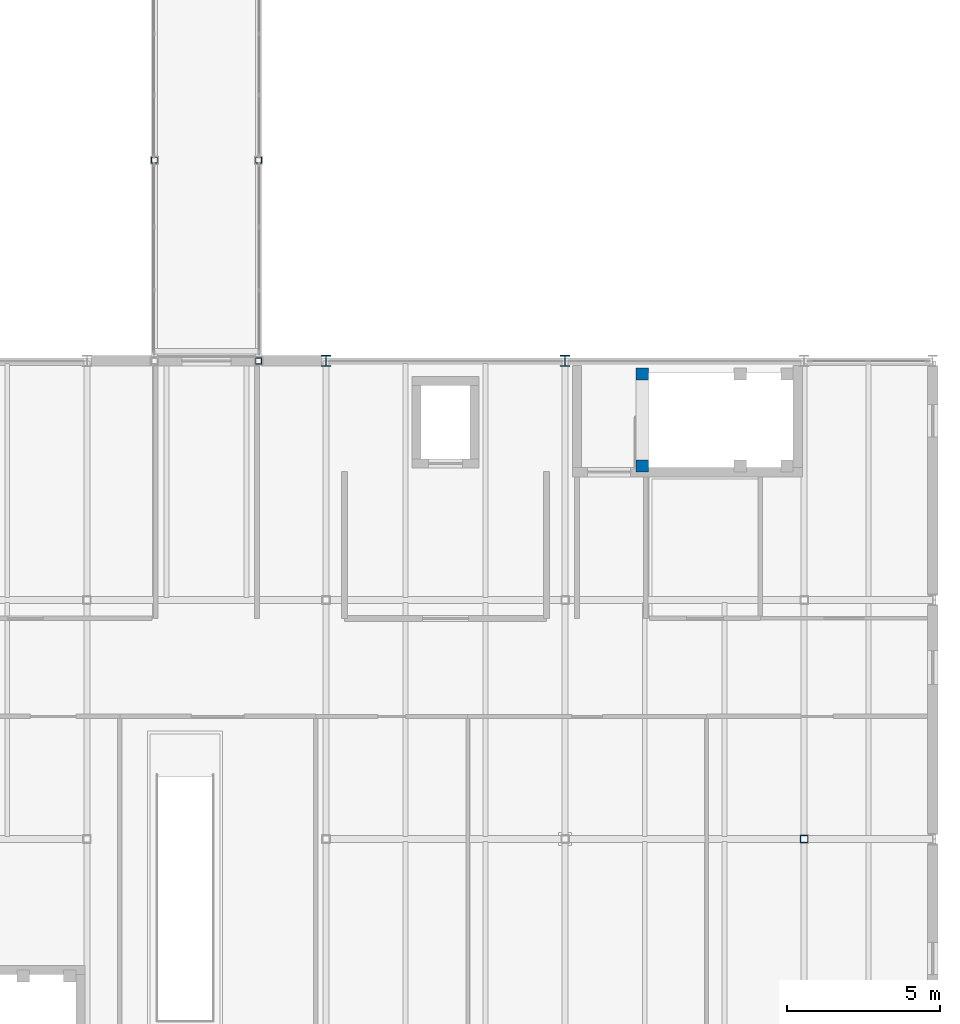
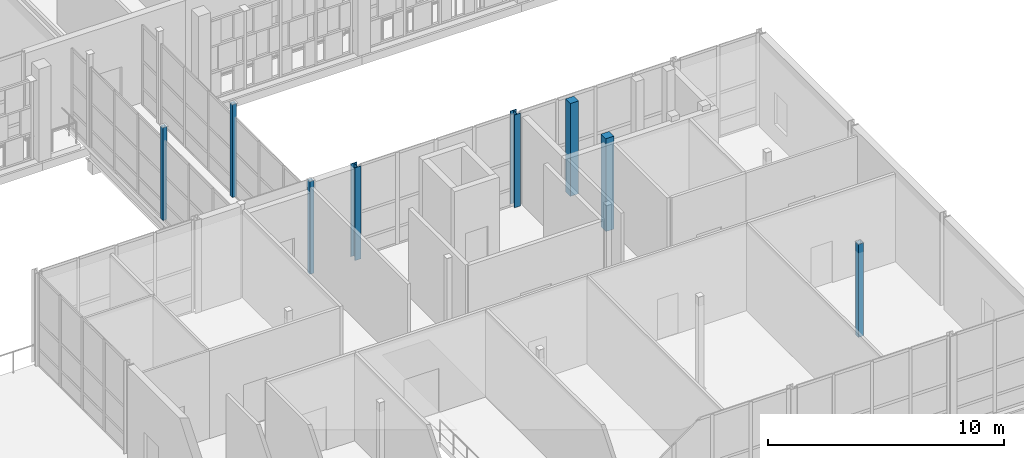
# One storey, part 17 of 138: 8 columns.
"""IFC4 building model written with IfcOpenShell, lengths in metres."""

from ifc_helpers import new_model, si_unit, direction, frame, origin, origin_2d, place, context, subcontext, project, spatial, rectangle, hollow_rectangle, i_section, extrude, material, material_profile, profile_set, type_object, element, save


model = new_model("IFC4")

# Units and contexts
model_context = context("Model", 3, precision=1e-05, world=origin(), true_north=direction((0.0, 1.0)))
body_context = subcontext(model_context, "Body", "Model", "MODEL_VIEW")
ifc_project = project(units=[si_unit("LENGTHUNIT", "METRE"), si_unit("AREAUNIT", "SQUARE_METRE"), si_unit("VOLUMEUNIT", "CUBIC_METRE"), si_unit("PLANEANGLEUNIT", "RADIAN"), si_unit("MASSUNIT", "GRAM", prefix="KILO")], contexts=[model_context])

# Site, building, storey
site_placement = place(None, origin())
site = spatial("IfcSite", under=ifc_project, at=site_placement, CompositionType="ELEMENT")
building_placement = place(site_placement, origin())
building = spatial("IfcBuilding", under=site, at=building_placement, Name="Celorna Specialist Clinic", CompositionType="ELEMENT")
storey_placement = place(building_placement, frame((0.0, 0.0, 4.800048828125)))
storey = spatial("IfcBuildingStorey", under=building, at=storey_placement, Name="L01", CompositionType="ELEMENT", Elevation=4.800048828125)

# Columns
ifc_material_1 = material(Name="Concrete C35/45", Category="concrete")
ifc_material_profile_1 = material_profile(ifc_material_1, rectangle(XDim=0.39990234375, YDim=0.39990234375, at=origin_2d()), Name="RC 400x400")
ifc_profile_set_1 = profile_set([ifc_material_profile_1], Name="Concrete C35/45")
column_type_1 = type_object("IfcColumnType", Name="CT-08", PredefinedType="COLUMN", material=ifc_profile_set_1)
for number, where, z_axis, x_axis, name in (
    (1, (158.52001953125, 79.969970703125, 0.0), (0.0, 0.0, 1.0), (1.0, 0.0, 0.0), "Stair ST-12 landing column CT-08 L01 X21/YP"),
    (2, (158.52001953125, 82.969970703125, 0.0), (0.0, 0.0, 1.0), (1.0, 0.0, 0.0), "Stair ST-12 landing column CT-08 L01 X21/YQ"),
):
    element("IfcColumn", number, at=place(storey_placement, frame(where, z_axis=z_axis, x_axis=x_axis)), inside=storey, type_object=column_type_1, Name=name, PredefinedType="COLUMN", context=body_context, shape_type="SweptSolid", body=[
        extrude(rectangle(XDim=0.39990234375, YDim=0.39990234375, at=origin_2d()), origin(), (0.0, 0.0, 1.0), 4.800048828125),
    ])
ifc_material_2 = material(Name="Steel S355", Category="steel")
ifc_material_profile_2 = material_profile(ifc_material_2, i_section(OverallWidth=0.300048828125, OverallDepth=0.360107421875, WebThickness=0.012451171875, FlangeThickness=0.0224609375, at=origin_2d()), Name="HE 360 B")
ifc_profile_set_2 = profile_set([ifc_material_profile_2], Name="Steel S355")
column_type_2 = type_object("IfcColumnType", Name="CT-13", PredefinedType="COLUMN", material=ifc_profile_set_2)
for number, where, z_axis, x_axis, name in (
    (3, (148.199951171875, 83.39990234375, 0.0), (0.0, 0.0, 1.0), (1.0, 0.0, 0.0), "Column CT-13 L01 X20/YQ"),
    (4, (156.0, 83.39990234375, 0.0), (0.0, 0.0, 1.0), (1.0, 0.0, 0.0), "Column CT-13 L01 X21/YQ"),
):
    element("IfcColumn", number, at=place(storey_placement, frame(where, z_axis=z_axis, x_axis=x_axis)), inside=storey, type_object=column_type_2, Name=name, PredefinedType="COLUMN", context=body_context, shape_type="SweptSolid", body=[
        extrude(i_section(OverallWidth=0.300048828125, OverallDepth=0.360107421875, WebThickness=0.012451171875, FlangeThickness=0.0224609375, at=origin_2d()), origin(), (0.0, 0.0, 1.0), 4.800048828125),
    ])
ifc_material_profile_3 = material_profile(ifc_material_2, hollow_rectangle(XDim=0.199951171875, YDim=0.199951171875, WallThickness=0.010009765625, at=origin_2d()), Name="SHS 200x200x10")
ifc_profile_set_3 = profile_set([ifc_material_profile_3], Name="Steel S355")
column_type_3 = type_object("IfcColumnType", Name="CT-15", PredefinedType="COLUMN", material=ifc_profile_set_3)
for number, where, z_axis, x_axis, name in (
    (5, (146.0, 83.39990234375, 0.0), (0.0, 0.0, 1.0), (1.0, 0.0, 0.0), "Column CT-15 L01 X20/YQ"),
    (6, (142.60009765625, 89.949951171875, 0.0), (0.0, 0.0, 1.0), (1.0, 0.0, 0.0), "Column CT-15 L01 X19/YQ"),
    (7, (146.0, 89.949951171875, 0.0), (0.0, 0.0, 1.0), (1.0, 0.0, 0.0), "Column CT-15 L01 X20/YQ"),
):
    element("IfcColumn", number, at=place(storey_placement, frame(where, z_axis=z_axis, x_axis=x_axis)), inside=storey, type_object=column_type_3, Name=name, PredefinedType="COLUMN", context=body_context, shape_type="SweptSolid", body=[
        extrude(hollow_rectangle(XDim=0.199951171875, YDim=0.199951171875, WallThickness=0.010009765625, at=origin_2d()), origin(), (0.0, 0.0, 1.0), 4.800048828125),
    ])
ifc_material_profile_4 = material_profile(ifc_material_2, hollow_rectangle(XDim=0.25, YDim=0.25, WallThickness=0.012451171875, at=origin_2d()), Name="SHS 250x250x12.5")
ifc_profile_set_4 = profile_set([ifc_material_profile_4], Name="Steel S355")
column_type_4 = type_object("IfcColumnType", Name="CT-19", PredefinedType="COLUMN", material=ifc_profile_set_4)
column_placement = place(storey_placement, frame((163.800048828125, 67.800048828125, 0.0), z_axis=(0.0, 0.0, 1.0), x_axis=(1.0, 0.0, 0.0)))
element("IfcColumn", 8, at=column_placement, inside=storey, type_object=column_type_4, Name="Column CT-19 L01 X22/YN", PredefinedType="COLUMN", context=body_context, shape_type="SweptSolid", body=[
    extrude(hollow_rectangle(XDim=0.25, YDim=0.25, WallThickness=0.012451171875, at=origin_2d()), origin(), (0.0, 0.0, 1.0), 4.800048828125),
])

save(model, "model.ifc")
